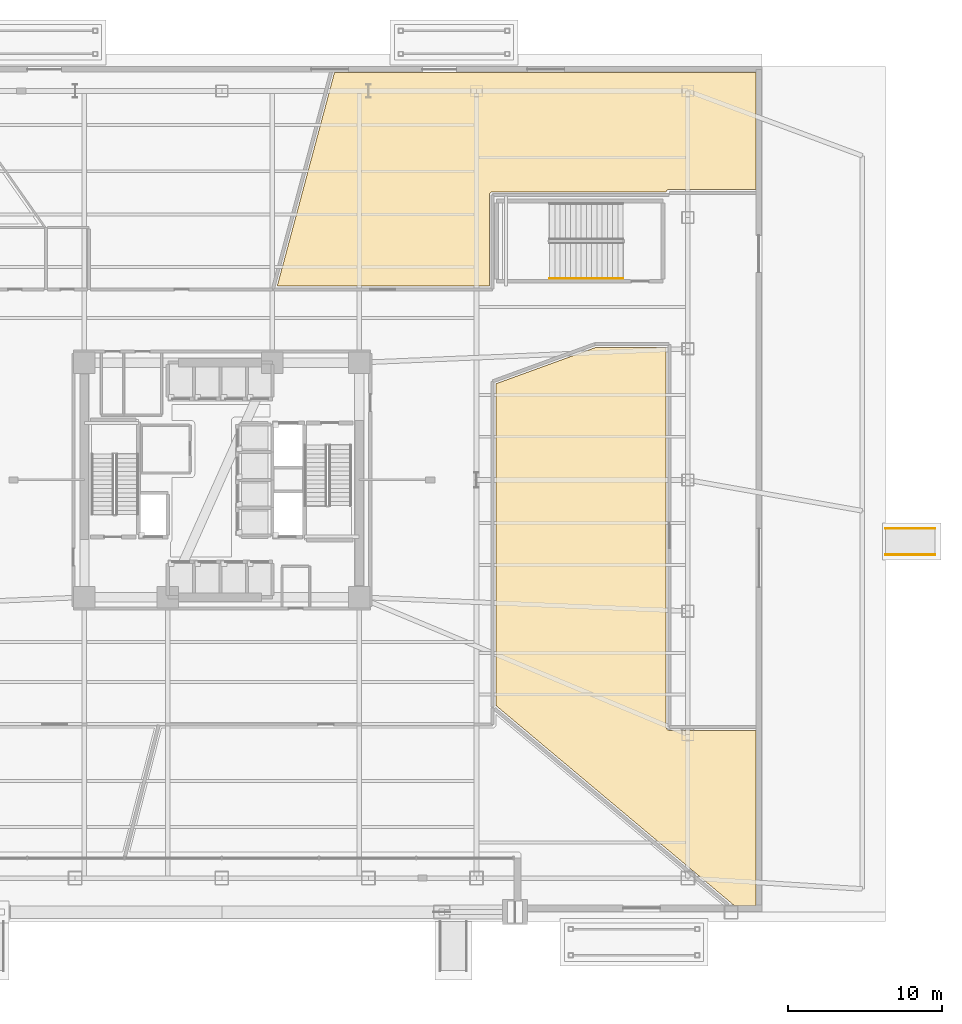
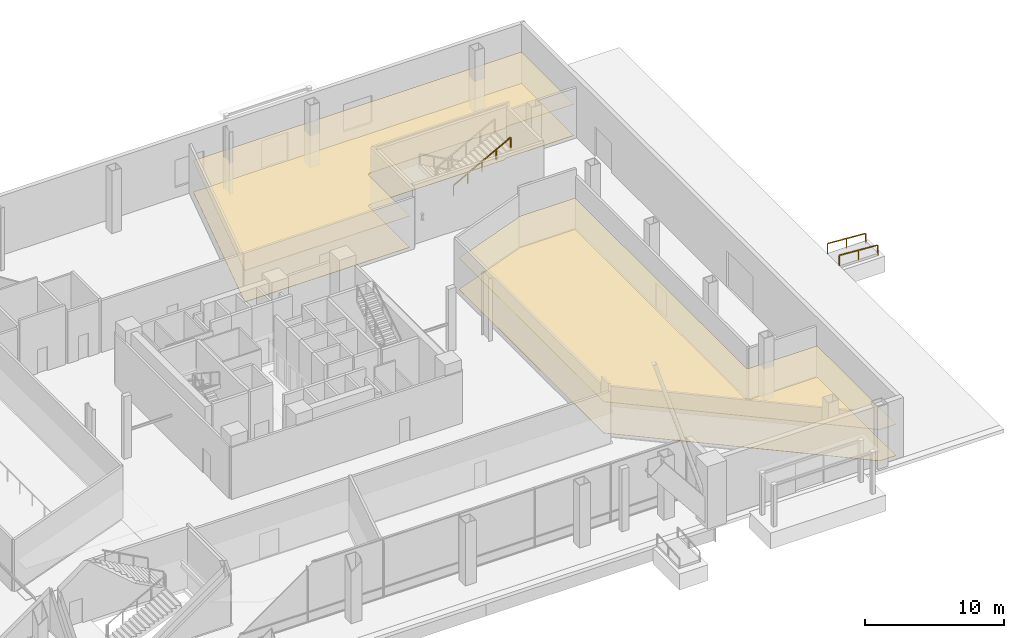
# One storey, part 25 of 27: 4 coverings, 3 railings.
"""IFC4 building model written with IfcOpenShell, lengths in metres."""

from ifc_helpers import new_model, si_unit, direction, frame, origin, origin_2d, place, context, subcontext, project, spatial, polyline, rectangle, outline, extrude, material, layer, layer_set, type_object, element, save


model = new_model("IFC4")

# Units and contexts
model_context = context("Model", 3, precision=1e-05, world=origin(), true_north=direction((0.0, 1.0)))
body_context = subcontext(model_context, "Body", "Model", "MODEL_VIEW")
ifc_project = project(units=[si_unit("LENGTHUNIT", "METRE"), si_unit("AREAUNIT", "SQUARE_METRE"), si_unit("VOLUMEUNIT", "CUBIC_METRE"), si_unit("PLANEANGLEUNIT", "RADIAN"), si_unit("MASSUNIT", "GRAM", prefix="KILO")], contexts=[model_context])

# Site, building, storey
site_placement = place(None, origin())
site = spatial("IfcSite", under=ifc_project, at=site_placement, CompositionType="ELEMENT")
building_placement = place(site_placement, origin())
building = spatial("IfcBuilding", under=site, at=building_placement, Name="Tharavind Bronze Gate", CompositionType="ELEMENT")
storey_placement = place(building_placement, origin())
storey = spatial("IfcBuildingStorey", under=building, at=storey_placement, Name="L00", CompositionType="ELEMENT", Elevation=0.0)

# Coverings
ifc_material_1 = material(Name="Acoustic Gypsum Board", Category="gypsum")
ifc_layer_1 = layer(ifc_material_1, 0.030029296875)
ifc_layer_set_1 = layer_set([ifc_layer_1], Name="Acoustic Gypsum Board")
covering_type_1 = type_object("IfcCoveringType", Name="GYPSUM SUSPENDED CEILING", PredefinedType="CEILING", material=ifc_layer_set_1)
covering_1_placement = place(storey_placement, frame((0.0, 0.0, 2.75)))
element("IfcCovering", 1, at=covering_1_placement, inside=storey, type_object=covering_type_1, Name="L00-PD-01 suspended ceiling", PredefinedType="CEILING", context=body_context, shape_type="SweptSolid", body=[
    extrude(outline(polyline([(17.330078125, 12.570068359375), (17.330078125, 18.449462890625), (17.330322265625, 18.460205078125), (17.330322265625, 18.460693359375), (17.33251953125, 18.482421875), (17.336669921875, 18.50341796875), (17.343017578125, 18.524169921875), (17.351318359375, 18.5439453125), (17.361328125, 18.56298828125), (17.373291015625, 18.5810546875), (17.386962890625, 18.59765625), (17.40234375, 18.613037109375), (17.4189453125, 18.626708984375), (17.43701171875, 18.638671875), (17.4560546875, 18.648681640625), (17.475830078125, 18.656982421875), (17.49658203125, 18.663330078125), (17.517578125, 18.66748046875), (17.539306640625, 18.669677734375), (17.539794921875, 18.669677734375), (17.550537109375, 18.669921875), (28.79150390625, 18.669921875), (28.79296875, 18.674072265625), (28.80126953125, 18.694091796875), (28.811279296875, 18.713134765625), (28.8232421875, 18.73095703125), (28.8369140625, 18.747802734375), (28.852294921875, 18.762939453125), (28.868896484375, 18.776611328125), (28.886962890625, 18.788818359375), (28.906005859375, 18.798828125), (28.92578125, 18.80712890625), (28.946533203125, 18.8134765625), (28.9677734375, 18.817626953125), (28.9892578125, 18.819580078125), (28.98974609375, 18.819580078125), (29.00048828125, 18.820068359375), (34.60009765625, 18.820068359375), (34.60009765625, 26.39990234375), (7.301513671875, 26.39990234375), (3.595947265625, 12.570068359375), (17.330078125, 12.570068359375)])), origin(), (0.0, 0.0, 1.0), 0.034912109375),
])
covering_2_placement = place(storey_placement, frame((0.0, 0.0, 2.75)))
element("IfcCovering", 2, at=covering_2_placement, inside=storey, type_object=covering_type_1, Name="L00-PD-07 suspended ceiling", PredefinedType="CEILING", context=body_context, shape_type="SweptSolid", body=[
    extrude(outline(polyline([(17.77001953125, -14.62353515625), (33.234619140625, -27.60009765625), (34.60009765625, -27.60009765625), (34.60009765625, -16.219970703125), (29.00048828125, -16.219970703125), (28.98974609375, -16.2197265625), (28.9892578125, -16.2197265625), (28.9677734375, -16.217529296875), (28.946533203125, -16.21337890625), (28.92578125, -16.20703125), (28.906005859375, -16.19873046875), (28.886962890625, -16.188720703125), (28.868896484375, -16.1767578125), (28.852294921875, -16.1630859375), (28.8369140625, -16.147705078125), (28.8232421875, -16.131103515625), (28.811279296875, -16.113037109375), (28.80126953125, -16.093994140625), (28.79296875, -16.07421875), (28.78662109375, -16.053466796875), (28.782470703125, -16.0322265625), (28.7802734375, -16.0107421875), (28.7802734375, -16.01025390625), (28.780029296875, -15.99951171875), (28.780029296875, 8.580078125), (24.216552734375, 8.580078125), (17.77001953125, 6.233642578125), (17.77001953125, -14.62353515625)])), origin(), (0.0, 0.0, 1.0), 0.034912109375),
])
ifc_material_2 = material(Name="Honed Travertine Limestone", Category="masonry")
ifc_layer_2 = layer(ifc_material_2, 0.030029296875)
ifc_layer_set_2 = layer_set([ifc_layer_2], Name="Honed Travertine Limestone")
covering_type_2 = type_object("IfcCoveringType", Name="HONED LIMESTONE FLOORING", PredefinedType="FLOORING", material=ifc_layer_set_2)
covering_3_placement = place(storey_placement, origin())
element("IfcCovering", 3, at=covering_3_placement, inside=storey, type_object=covering_type_2, Name="L00-PD-01 floor finish", PredefinedType="FLOORING", context=body_context, shape_type="SweptSolid", body=[
    extrude(outline(polyline([(17.330078125, 12.570068359375), (17.330078125, 18.449462890625), (17.330322265625, 18.460205078125), (17.330322265625, 18.460693359375), (17.33251953125, 18.482421875), (17.336669921875, 18.50341796875), (17.343017578125, 18.524169921875), (17.351318359375, 18.5439453125), (17.361328125, 18.56298828125), (17.373291015625, 18.5810546875), (17.386962890625, 18.59765625), (17.40234375, 18.613037109375), (17.4189453125, 18.626708984375), (17.43701171875, 18.638671875), (17.4560546875, 18.648681640625), (17.475830078125, 18.656982421875), (17.49658203125, 18.663330078125), (17.517578125, 18.66748046875), (17.539306640625, 18.669677734375), (17.539794921875, 18.669677734375), (17.550537109375, 18.669921875), (28.79150390625, 18.669921875), (28.79296875, 18.674072265625), (28.80126953125, 18.694091796875), (28.811279296875, 18.713134765625), (28.8232421875, 18.73095703125), (28.8369140625, 18.747802734375), (28.852294921875, 18.762939453125), (28.868896484375, 18.776611328125), (28.886962890625, 18.788818359375), (28.906005859375, 18.798828125), (28.92578125, 18.80712890625), (28.946533203125, 18.8134765625), (28.9677734375, 18.817626953125), (28.9892578125, 18.819580078125), (28.98974609375, 18.819580078125), (29.00048828125, 18.820068359375), (34.60009765625, 18.820068359375), (34.60009765625, 26.39990234375), (7.301513671875, 26.39990234375), (3.595947265625, 12.570068359375), (17.330078125, 12.570068359375)])), origin(), (0.0, 0.0, 1.0), 0.02490234375),
])
covering_4_placement = place(storey_placement, origin())
element("IfcCovering", 4, at=covering_4_placement, inside=storey, type_object=covering_type_2, Name="L00-PD-07 floor finish", PredefinedType="FLOORING", context=body_context, shape_type="SweptSolid", body=[
    extrude(outline(polyline([(17.77001953125, -14.62353515625), (33.234619140625, -27.60009765625), (34.60009765625, -27.60009765625), (34.60009765625, -16.219970703125), (29.00048828125, -16.219970703125), (28.98974609375, -16.2197265625), (28.9892578125, -16.2197265625), (28.9677734375, -16.217529296875), (28.946533203125, -16.21337890625), (28.92578125, -16.20703125), (28.906005859375, -16.19873046875), (28.886962890625, -16.188720703125), (28.868896484375, -16.1767578125), (28.852294921875, -16.1630859375), (28.8369140625, -16.147705078125), (28.8232421875, -16.131103515625), (28.811279296875, -16.113037109375), (28.80126953125, -16.093994140625), (28.79296875, -16.07421875), (28.78662109375, -16.053466796875), (28.782470703125, -16.0322265625), (28.7802734375, -16.0107421875), (28.7802734375, -16.01025390625), (28.780029296875, -15.99951171875), (28.780029296875, 8.580078125), (24.216552734375, 8.580078125), (17.77001953125, 6.233642578125), (17.77001953125, -14.62353515625)])), origin(), (0.0, 0.0, 1.0), 0.02490234375),
])

# Railings
ifc_material_3 = material(Name="Brushed Bronze Tube", Category="bronze")
railing_type_1 = type_object("IfcRailingType", Name="RAMP BRONZE HANDRAIL 920", PredefinedType="HANDRAIL", material=ifc_material_3)
for number, where, name in (
    (5, (46.199951171875, -4.85009765625, -0.219970703125), "Accessible ramp 4 handrail A"),
    (6, (46.199951171875, -3.14990234375, -0.219970703125), "Accessible ramp 4 handrail B"),
):
    element("IfcRailing", number, at=place(storey_placement, frame(where)), inside=storey, type_object=railing_type_1, Name=name, PredefinedType="HANDRAIL", context=body_context, shape_type="SweptSolid", body=[
        extrude(rectangle(XDim=0.048095703125, YDim=0.048095703125, at=origin_2d()), frame((-0.031982421875, 0.0, 0.89794921875), z_axis=(-0.997645616887, 0.0, 0.068580048891), x_axis=(0.0, -1.0, 0.0)), (0.0, 0.0, 1.0), 3.1435546875),
        extrude(rectangle(XDim=0.0400390625, YDim=0.0400390625, at=origin_2d()), origin(), (0.0, 0.0, 1.0), 0.867919921875),
        extrude(rectangle(XDim=0.0400390625, YDim=0.0400390625, at=origin_2d()), frame((-1.60009765625, 0.0, 0.10986328125)), (0.0, 0.0, 1.0), 0.867919921875),
        extrude(rectangle(XDim=0.0400390625, YDim=0.0400390625, at=origin_2d()), frame((-3.199951171875, 0.0, 0.219970703125)), (0.0, 0.0, 1.0), 0.867919921875),
    ])
ifc_material_4 = material(Name="Brushed Bronze Alloy", Category="metal")
railing_type_2 = type_object("IfcRailingType", Name="STAIR BRONZE HANDRAIL 900", PredefinedType="HANDRAIL", material=ifc_material_4)
railing_placement = place(storey_placement, frame((21.239990234375, 13.050048828125, 2.933349609375)))
element("IfcRailing", 7, at=railing_placement, inside=storey, type_object=railing_type_2, Name="L00 ST4 stair handrail 2", PredefinedType="HANDRAIL", context=body_context, shape_type="SweptSolid", body=[
    extrude(rectangle(XDim=0.048095703125, YDim=0.048095703125, at=origin_2d()), frame((0.028076171875, 0.0, 0.89111328125), z_axis=(0.880195524343, 0.0, 0.474611250316), x_axis=(0.0, 1.0, 0.0)), (0.0, 0.0, 1.0), 5.343994140625),
    extrude(rectangle(XDim=0.0400390625, YDim=0.0400390625, at=origin_2d()), origin(), (0.0, 0.0, 1.0), 0.847900390625),
    extrude(rectangle(XDim=0.0400390625, YDim=0.0400390625, at=origin_2d()), frame((1.18994140625, 0.0, 0.6416015625)), (0.0, 0.0, 1.0), 0.847900390625),
    extrude(rectangle(XDim=0.0400390625, YDim=0.0400390625, at=origin_2d()), frame((2.3798828125, 0.0, 1.283203125)), (0.0, 0.0, 1.0), 0.847900390625),
    extrude(rectangle(XDim=0.0400390625, YDim=0.0400390625, at=origin_2d()), frame((3.570068359375, 0.0, 1.925048828125)), (0.0, 0.0, 1.0), 0.847900390625),
    extrude(rectangle(XDim=0.0400390625, YDim=0.0400390625, at=origin_2d()), frame((4.760009765625, 0.0, 2.566650390625)), (0.0, 0.0, 1.0), 0.847900390625),
])

save(model, "model.ifc")
